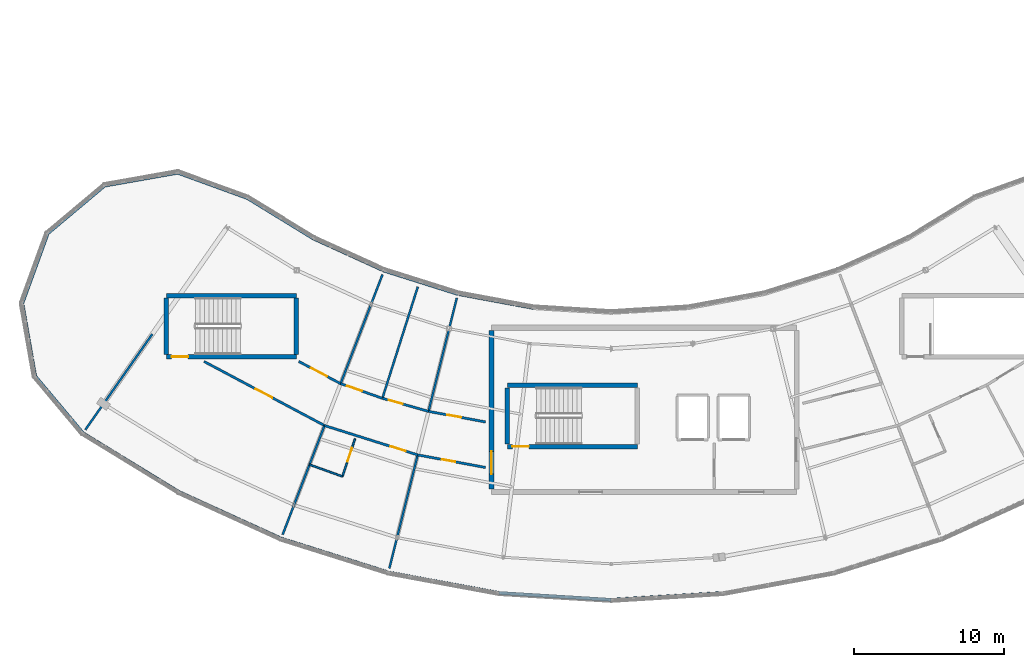
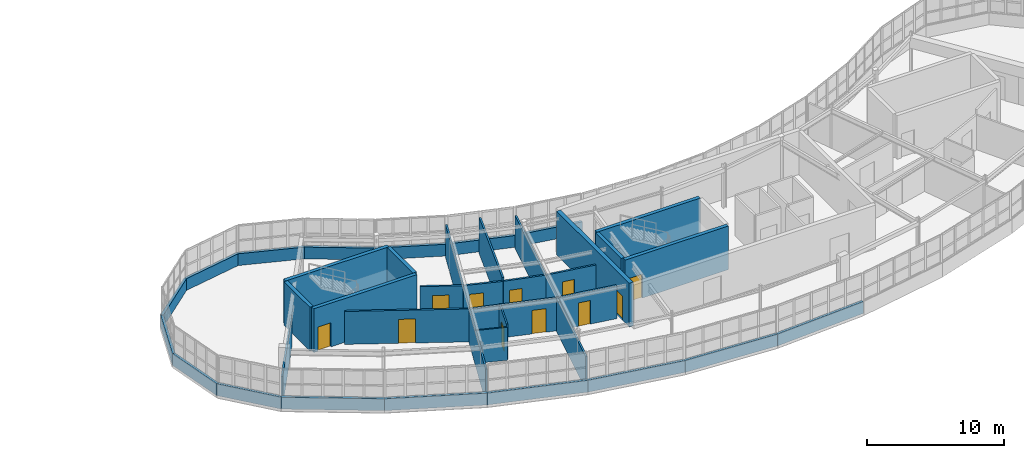
# One storey, part 65 of 79: 39 walls, 11 doors, 11 openings.
"""IFC4 building model written with IfcOpenShell, lengths in metres."""

from ifc_helpers import new_model, si_unit, direction, frame, frame_2d, origin, place, context, subcontext, project, spatial, rectangle, extrude, material, layer, layer_set, type_object, element, fill, save


model = new_model("IFC4")

# Units and contexts
model_context = context("Model", 3, precision=1e-05, world=origin(), true_north=direction((0.0, 1.0)))
body_context = subcontext(model_context, "Body", "Model", "MODEL_VIEW")
ifc_project = project(units=[si_unit("LENGTHUNIT", "METRE"), si_unit("AREAUNIT", "SQUARE_METRE"), si_unit("VOLUMEUNIT", "CUBIC_METRE"), si_unit("PLANEANGLEUNIT", "RADIAN"), si_unit("MASSUNIT", "GRAM", prefix="KILO")], contexts=[model_context])

# Site, building, storey
site_placement = place(None, origin())
site = spatial("IfcSite", under=ifc_project, at=site_placement, CompositionType="ELEMENT")
building_placement = place(site_placement, origin())
building = spatial("IfcBuilding", under=site, at=building_placement, Name="Tarnwether General Hospital", CompositionType="ELEMENT")
storey_placement = place(building_placement, frame((0.0, 0.0, 18.300048828125)))
storey = spatial("IfcBuildingStorey", under=building, at=storey_placement, Name="L04", CompositionType="ELEMENT", Elevation=18.300048828125)

# Walls
ifc_material_1 = material(Name="Streamlined white enamelled aluminium", Category="aluminium")
ifc_layer_1 = layer(ifc_material_1, 0.219970703125)
ifc_layer_set_1 = layer_set([ifc_layer_1], Name="Streamlined white enamelled aluminium")
wall_type_1 = type_object("IfcWallType", Name="WL-EX220", PredefinedType="STANDARD", material=ifc_layer_set_1)
wall_1_placement = place(storey_placement, frame((63.0810546875, 8.610107421875, 0.0), z_axis=(0.0, 0.0, 1.0), x_axis=(-0.852640903338, 0.522497358803, 0.0)))
element("IfcWall", 1, at=wall_1_placement, inside=storey, type_object=wall_type_1, Name="Ward SE Streamlined White Spandrel EW-L04-0187", PredefinedType="STANDARD", context=body_context, shape_type="SweptSolid", body=[
    extrude(rectangle(XDim=7.521484375, YDim=0.219970703125, at=frame_2d((3.7607421875, 0.0))), origin(), (0.0, 0.0, 1.0), 1.050048828125),
])
wall_2_placement = place(storey_placement, frame((69.925048828125, 5.490966796875, 0.0), z_axis=(0.0, 0.0, 1.0), x_axis=(-0.909953604353, 0.414710064895, 0.0)))
element("IfcWall", 2, at=wall_2_placement, inside=storey, type_object=wall_type_1, Name="Ward SE Streamlined White Spandrel EW-L04-0188", PredefinedType="STANDARD", context=body_context, shape_type="SweptSolid", body=[
    extrude(rectangle(XDim=7.521240234375, YDim=0.219970703125, at=frame_2d((3.7607421875, 0.0))), origin(), (0.0, 0.0, 1.0), 1.050048828125),
])
wall_3_placement = place(storey_placement, frame((77.097900390625, 3.22998046875, 0.0), z_axis=(0.0, 0.0, 1.0), x_axis=(-0.953740021466, 0.300632618747, 0.0)))
element("IfcWall", 3, at=wall_3_placement, inside=storey, type_object=wall_type_1, Name="Ward SE Streamlined White Spandrel EW-L04-0189", PredefinedType="STANDARD", context=body_context, shape_type="SweptSolid", body=[
    extrude(rectangle(XDim=7.520751953125, YDim=0.219970703125, at=frame_2d((3.76025390625, 0.0))), origin(), (0.0, 0.0, 1.0), 1.050048828125),
])
for number, where, z_axis, x_axis, name in (
    (4, (84.492919921875, 1.85888671875, 0.0), (0.0, 0.0, 1.0), (-0.983242805192, 0.18230081195, 0.0), "Ward SE Streamlined White Spandrel EW-L04-0190"),
    (5, (92.0, 1.39990234375, 0.0), (0.0, 0.0, 1.0), (-0.99813616181, 0.061026244242, 0.0), "Ward SE Streamlined White Spandrel EW-L04-0191"),
    (6, (99.507080078125, 1.85888671875, 0.0), (0.0, 0.0, 1.0), (-0.99813616181, -0.061026244242, 0.0), "Ward SE Streamlined White Spandrel EW-L04-0192"),
):
    element("IfcWall", number, at=place(storey_placement, frame(where, z_axis=z_axis, x_axis=x_axis)), inside=storey, type_object=wall_type_1, Name=name, PredefinedType="STANDARD", context=body_context, shape_type="SweptSolid", body=[
        extrude(rectangle(XDim=7.52099609375, YDim=0.219970703125, at=frame_2d((3.760498046875, 0.0))), origin(), (0.0, 0.0, 1.0), 1.050048828125),
    ])
wall_4_placement = place(storey_placement, frame((81.742919921875, 21.85888671875, 0.0), z_axis=(0.0, 0.0, 1.0), x_axis=(0.98327293422, -0.182138235501, 0.0)))
element("IfcWall", 7, at=wall_4_placement, inside=storey, type_object=wall_type_1, Name="Ward SE Streamlined White Spandrel EW-L04-0209", PredefinedType="STANDARD", context=body_context, shape_type="SweptSolid", body=[
    extrude(rectangle(XDim=5.1767578125, YDim=0.219970703125, at=frame_2d((2.58837890625, 0.0))), origin(), (0.0, 0.0, 1.0), 1.050048828125),
])
wall_5_placement = place(storey_placement, frame((76.804931640625, 23.416015625, 0.0), z_axis=(0.0, 0.0, 1.0), x_axis=(0.953706582316, -0.300738681994, 0.0)))
element("IfcWall", 8, at=wall_5_placement, inside=storey, type_object=wall_type_1, Name="Ward SE Streamlined White Spandrel EW-L04-0210", PredefinedType="STANDARD", context=body_context, shape_type="SweptSolid", body=[
    extrude(rectangle(XDim=5.177734375, YDim=0.219970703125, at=frame_2d((2.5888671875, 0.0))), origin(), (0.0, 0.0, 1.0), 1.050048828125),
])
for number, where, z_axis, x_axis, name in (
    (9, (72.093994140625, 25.56298828125, 0.0), (0.0, 0.0, 1.0), (0.909955822384, -0.414705198074, 0.0), "Ward SE Streamlined White Spandrel EW-L04-0211"),
    (10, (67.679931640625, 28.26806640625, 0.0), (0.0, 0.0, 1.0), (0.852628362135, -0.522517823698, 0.0), "Ward SE Streamlined White Spandrel EW-L04-0212"),
):
    element("IfcWall", number, at=place(storey_placement, frame(where, z_axis=z_axis, x_axis=x_axis)), inside=storey, type_object=wall_type_1, Name=name, PredefinedType="STANDARD", context=body_context, shape_type="SweptSolid", body=[
        extrude(rectangle(XDim=5.177001953125, YDim=0.219970703125, at=frame_2d((2.58837890625, 0.0))), origin(), (0.0, 0.0, 1.0), 1.050048828125),
    ])
wall_6_placement = place(storey_placement, frame((63.010986328125, 29.968017578125, 0.0), z_axis=(0.0, 0.0, 1.0), x_axis=(0.939654190044, -0.34212571247, 0.0)))
element("IfcWall", 11, at=wall_6_placement, inside=storey, type_object=wall_type_1, Name="Ward SE Streamlined White Spandrel EW-L04-0213", PredefinedType="STANDARD", context=body_context, shape_type="SweptSolid", body=[
    extrude(rectangle(XDim=4.96875, YDim=0.219970703125, at=frame_2d((2.484375, 0.0))), origin(), (0.0, 0.0, 1.0), 1.050048828125),
])
wall_7_placement = place(storey_placement, frame((58.116943359375, 29.10498046875, 0.0), z_axis=(0.0, 0.0, 1.0), x_axis=(0.984804817938, 0.173664822479, 0.0)))
element("IfcWall", 12, at=wall_7_placement, inside=storey, type_object=wall_type_1, Name="Ward SE Streamlined White Spandrel EW-L04-0214", PredefinedType="STANDARD", context=body_context, shape_type="SweptSolid", body=[
    extrude(rectangle(XDim=4.969482421875, YDim=0.219970703125, at=frame_2d((2.48486328125, 0.0))), origin(), (0.0, 0.0, 1.0), 1.050048828125),
])
wall_8_placement = place(storey_placement, frame((54.31005859375, 25.909912109375, 0.0), z_axis=(0.0, 0.0, 1.0), x_axis=(0.765973821879, 0.642871763415, 0.0)))
element("IfcWall", 13, at=wall_8_placement, inside=storey, type_object=wall_type_1, Name="Ward SE Streamlined White Spandrel EW-L04-0215", PredefinedType="STANDARD", context=body_context, shape_type="SweptSolid", body=[
    extrude(rectangle(XDim=4.969970703125, YDim=0.219970703125, at=frame_2d((2.48486328125, 0.0))), origin(), (0.0, 0.0, 1.0), 1.050048828125),
])
wall_9_placement = place(storey_placement, frame((52.611083984375, 21.240966796875, 0.0), z_axis=(0.0, 0.0, 1.0), x_axis=(0.341952160632, 0.939717361678, 0.0)))
element("IfcWall", 14, at=wall_9_placement, inside=storey, type_object=wall_type_1, Name="Ward SE Streamlined White Spandrel EW-L04-0216", PredefinedType="STANDARD", context=body_context, shape_type="SweptSolid", body=[
    extrude(rectangle(XDim=4.968505859375, YDim=0.219970703125, at=frame_2d((2.484375, 0.0))), origin(), (0.0, 0.0, 1.0), 1.050048828125),
])
wall_10_placement = place(storey_placement, frame((53.472900390625, 16.346923828125, 0.0), z_axis=(0.0, 0.0, 1.0), x_axis=(-0.173426579259, 0.984846801085, 0.0)))
element("IfcWall", 15, at=wall_10_placement, inside=storey, type_object=wall_type_1, Name="Ward SE Streamlined White Spandrel EW-L04-0217", PredefinedType="STANDARD", context=body_context, shape_type="SweptSolid", body=[
    extrude(rectangle(XDim=4.96923828125, YDim=0.219970703125, at=frame_2d((2.484619140625, 0.0))), origin(), (0.0, 0.0, 1.0), 1.050048828125),
])
wall_11_placement = place(storey_placement, frame((56.66796875, 12.5400390625, 0.0), z_axis=(0.0, 0.0, 1.0), x_axis=(-0.642871763415, 0.765973821879, 0.0)))
element("IfcWall", 16, at=wall_11_placement, inside=storey, type_object=wall_type_1, Name="Ward SE Streamlined White Spandrel EW-L04-0218", PredefinedType="STANDARD", context=body_context, shape_type="SweptSolid", body=[
    extrude(rectangle(XDim=4.969970703125, YDim=0.219970703125, at=frame_2d((2.48486328125, 0.0))), origin(), (0.0, 0.0, 1.0), 1.050048828125),
])

# Wall, opening, door
ifc_material_2 = material(Name="Gypsum plasterboard")
ifc_layer_2 = layer(ifc_material_2, 0.1201171875)
ifc_layer_set_2 = layer_set([ifc_layer_2], Name="Gypsum plasterboard")
wall_type_2 = type_object("IfcWallType", Name="WL-PT120", PredefinedType="PARTITIONING", material=ifc_layer_set_2)
wall_12_placement = place(storey_placement, frame((74.873046875, 12.16796875, 0.0), z_axis=(0.0, 0.0, 1.0), x_axis=(-0.319199781595, -0.947687448176, 0.0)))
wall_12 = element("IfcWall", 17, at=wall_12_placement, inside=storey, type_object=wall_type_2, Name="Interior Partition PT-L04-0403", PredefinedType="PARTITIONING", context=body_context, shape_type="SweptSolid", body=[
    extrude(rectangle(XDim=2.66015625, YDim=0.1201171875, at=frame_2d((1.330078125, 0.0))), origin(), (0.0, 0.0, 1.0), 3.18896484375),
])
opening_1_placement = place(wall_12_placement, frame((0.64990234375, 0.0, 0.0)))
opening_1 = element("IfcOpeningElement", 18, at=opening_1_placement, cuts=wall_12, Name="Opening D-10", PredefinedType="OPENING", context=body_context, shape_type="SweptSolid", body=[
    extrude(rectangle(XDim=0.9599609375, YDim=2.06005859375, at=frame_2d((0.47998046875, 1.030029296875))), frame((0.0, 0.070068359375, 0.0), z_axis=(0.0, -1.0, 0.0), x_axis=(1.0, 0.0, 0.0)), (0.0, 0.0, 1.0), 0.14013671875),
])
ifc_material_3 = material(Name="Anodised aluminium", Category="aluminium")
door_type_1 = type_object("IfcDoorType", Name="DR-IN10", OperationType="NOTDEFINED", PredefinedType="DOOR", material=ifc_material_3)
door_1_placement = place(opening_1_placement, origin())
door_1 = element("IfcDoor", 19, at=door_1_placement, inside=storey, type_object=door_type_1, Name="Interior Door DR-L04-0224", OperationType="SINGLE_SWING_RIGHT", OverallHeight=2.06005859375, OverallWidth=0.9599609375, PredefinedType="DOOR", context=body_context, shape_type="SweptSolid", body=[
    extrude(rectangle(XDim=0.9599609375, YDim=2.06005859375, at=frame_2d((0.47998046875, 1.030029296875))), frame((0.0, 0.02490234375, 0.0), z_axis=(0.0, -1.0, 0.0), x_axis=(1.0, 0.0, 0.0)), (0.0, 0.0, 1.0), 0.050048828125),
])
fill(opening_1, door_1)

# Walls
wall_13_placement = place(storey_placement, frame((71.823974609375, 10.43896484375, 0.0), z_axis=(0.0, 0.0, 1.0), x_axis=(0.940886080788, -0.338723165695, 0.0)))
element("IfcWall", 20, at=wall_13_placement, inside=storey, type_object=wall_type_2, Name="Interior Partition PT-L04-0404", PredefinedType="PARTITIONING", context=body_context, shape_type="SweptSolid", body=[
    extrude(rectangle(XDim=2.338134765625, YDim=0.1201171875, at=frame_2d((1.1689453125, 0.0))), origin(), (0.0, 0.0, 1.0), 2.932861328125),
])
ifc_material_4 = material(Name="Gypsum plasterboard")
ifc_layer_3 = layer(ifc_material_4, 0.139892578125)
ifc_layer_set_3 = layer_set([ifc_layer_3], Name="Gypsum plasterboard")
wall_type_3 = type_object("IfcWallType", Name="WL-PT140", PredefinedType="PARTITIONING", material=ifc_layer_set_3)
wall_14_placement = place(storey_placement, frame((72.826904296875, 13.052978515625, 0.0), z_axis=(0.0, 0.0, 1.0), x_axis=(-0.358342954102, -0.933590020965, 0.0)))
element("IfcWall", 21, at=wall_14_placement, inside=storey, type_object=wall_type_3, Name="Interior Partition PT-L04-0400", PredefinedType="PARTITIONING", context=body_context, shape_type="SweptSolid", body=[
    extrude(rectangle(XDim=7.8193359375, YDim=0.139892578125, at=frame_2d((3.90966796875, 0.0))), origin(), (0.0, 0.0, 1.0), 2.932861328125),
])
wall_15_placement = place(storey_placement, frame((73.902099609375, 15.85400390625, 0.0), z_axis=(0.0, 0.0, 1.0), x_axis=(0.358410014332, 0.933564278251, 0.0)))
element("IfcWall", 22, at=wall_15_placement, inside=storey, type_object=wall_type_3, Name="Interior Partition PT-L04-0402", PredefinedType="PARTITIONING", context=body_context, shape_type="SweptSolid", body=[
    extrude(rectangle(XDim=7.820556640625, YDim=0.139892578125, at=frame_2d((3.91015625, 0.0))), origin(), (0.0, 0.0, 1.0), 2.932861328125),
])
wall_16_placement = place(storey_placement, frame((79.056884765625, 11.089111328125, 0.0), z_axis=(0.0, 0.0, 1.0), x_axis=(-0.241911207257, -0.970298391117, 0.0)))
element("IfcWall", 23, at=wall_16_placement, inside=storey, type_object=wall_type_3, Name="Interior Partition PT-L04-0406", PredefinedType="PARTITIONING", context=body_context, shape_type="SweptSolid", body=[
    extrude(rectangle(XDim=7.8203125, YDim=0.139892578125, at=frame_2d((3.91015625, 0.0))), origin(), (0.0, 0.0, 1.0), 2.93798828125),
])
wall_17_placement = place(storey_placement, frame((76.697021484375, 14.875, 0.0), z_axis=(0.0, 0.0, 1.0), x_axis=(0.302952343331, 0.95300570705, 0.0)))
element("IfcWall", 24, at=wall_17_placement, inside=storey, type_object=wall_type_3, Name="Interior Partition PT-L04-0407", PredefinedType="PARTITIONING", context=body_context, shape_type="SweptSolid", body=[
    extrude(rectangle(XDim=7.8193359375, YDim=0.139892578125, at=frame_2d((3.90966796875, 0.0))), origin(), (0.0, 0.0, 1.0), 3.240966796875),
])
wall_18_placement = place(storey_placement, frame((79.782958984375, 14.0, 0.0), z_axis=(0.0, 0.0, 1.0), x_axis=(0.241947927131, 0.970289235515, 0.0)))
element("IfcWall", 25, at=wall_18_placement, inside=storey, type_object=wall_type_3, Name="Interior Partition PT-L04-0410", PredefinedType="PARTITIONING", context=body_context, shape_type="SweptSolid", body=[
    extrude(rectangle(XDim=7.8203125, YDim=0.139892578125, at=frame_2d((3.91015625, 0.0))), origin(), (0.0, 0.0, 1.0), 2.93798828125),
])
wall_19_placement = place(storey_placement, frame((61.31396484375, 19.175048828125, 0.0), z_axis=(0.0, 0.0, 1.0), x_axis=(-0.573682336084, -0.819077882295, 0.0)))
element("IfcWall", 26, at=wall_19_placement, inside=storey, type_object=wall_type_3, Name="Interior Partition PT-L04-0423", PredefinedType="PARTITIONING", context=body_context, shape_type="SweptSolid", body=[
    extrude(rectangle(XDim=7.81982421875, YDim=0.139892578125, at=frame_2d((3.909912109375, 0.0))), origin(), (0.0, 0.0, 1.0), 2.64501953125),
])

# Wall, opening, door
ifc_material_5 = material(Name="Gypsum plasterboard")
ifc_layer_4 = layer(ifc_material_5, 0.159912109375)
ifc_layer_set_4 = layer_set([ifc_layer_4], Name="Gypsum plasterboard")
wall_type_4 = type_object("IfcWallType", Name="WL-PT160", PredefinedType="PARTITIONING", material=ifc_layer_set_4)
wall_20_placement = place(storey_placement, frame((64.764892578125, 17.340087890625, 0.0), z_axis=(0.0, 0.0, 1.0), x_axis=(0.882926631997, -0.469510982311, 0.0)))
wall_20 = element("IfcWall", 27, at=wall_20_placement, inside=storey, type_object=wall_type_4, Name="Interior Partition PT-L04-0399", PredefinedType="PARTITIONING", context=body_context, shape_type="SweptSolid", body=[
    extrude(rectangle(XDim=9.131103515625, YDim=0.159912109375, at=frame_2d((4.5654296875, 0.0))), origin(), (0.0, 0.0, 1.0), 2.932861328125),
])
opening_2_placement = place(wall_20_placement, frame((3.916015625, 0.0, 0.0)))
opening_2 = element("IfcOpeningElement", 28, at=opening_2_placement, cuts=wall_20, Name="Opening D-04", PredefinedType="OPENING", context=body_context, shape_type="SweptSolid", body=[
    extrude(rectangle(XDim=1.260009765625, YDim=2.139892578125, at=frame_2d((0.6298828125, 1.06982421875))), frame((0.0, 0.08984375, 0.0), z_axis=(0.0, -1.0, 0.0), x_axis=(1.0, 0.0, 0.0)), (0.0, 0.0, 1.0), 0.179931640625),
])
ifc_material_6 = material(Name="Anodised aluminium", Category="aluminium")
door_type_2 = type_object("IfcDoorType", Name="DR-IN04", OperationType="NOTDEFINED", PredefinedType="DOOR", material=ifc_material_6)
door_2_placement = place(opening_2_placement, origin())
door_2 = element("IfcDoor", 29, at=door_2_placement, inside=storey, type_object=door_type_2, Name="Interior Door DR-L04-0222", OperationType="SINGLE_SWING_RIGHT", OverallHeight=2.139892578125, OverallWidth=1.260009765625, PredefinedType="DOOR", context=body_context, shape_type="SweptSolid", body=[
    extrude(rectangle(XDim=1.260009765625, YDim=2.139892578125, at=frame_2d((0.6298828125, 1.06982421875))), frame((0.0, 0.02490234375, 0.0), z_axis=(0.0, -1.0, 0.0), x_axis=(1.0, 0.0, 0.0)), (0.0, 0.0, 1.0), 0.050048828125),
])
fill(opening_2, door_2)

wall_21_placement = place(storey_placement, frame((71.10693359375, 17.340087890625, 0.0), z_axis=(0.0, 0.0, 1.0), x_axis=(0.882964896182, -0.469439018522, 0.0)))
wall_21 = element("IfcWall", 30, at=wall_21_placement, inside=storey, type_object=wall_type_4, Name="Interior Partition PT-L04-0401", PredefinedType="PARTITIONING", context=body_context, shape_type="SweptSolid", body=[
    extrude(rectangle(XDim=3.165771484375, YDim=0.159912109375, at=frame_2d((1.5830078125, 0.0))), origin(), (0.0, 0.0, 1.0), 2.932861328125),
])
opening_3_placement = place(wall_21_placement, frame((0.93310546875, 0.0, 0.0)))
opening_3 = element("IfcOpeningElement", 31, at=opening_3_placement, cuts=wall_21, Name="Opening D-05", PredefinedType="OPENING", context=body_context, shape_type="SweptSolid", body=[
    extrude(rectangle(XDim=1.199951171875, YDim=2.1201171875, at=frame_2d((0.60009765625, 1.06005859375))), frame((0.0, 0.08984375, 0.0), z_axis=(0.0, -1.0, 0.0), x_axis=(1.0, 0.0, 0.0)), (0.0, 0.0, 1.0), 0.179931640625),
])
ifc_material_7 = material(Name="Anodised aluminium", Category="aluminium")
door_type_3 = type_object("IfcDoorType", Name="DR-IN05", OperationType="NOTDEFINED", PredefinedType="DOOR", material=ifc_material_7)
door_3_placement = place(opening_3_placement, origin())
door_3 = element("IfcDoor", 32, at=door_3_placement, inside=storey, type_object=door_type_3, Name="Interior Door DR-L04-0223", OperationType="SINGLE_SWING_LEFT", OverallHeight=2.1201171875, OverallWidth=1.199951171875, PredefinedType="DOOR", context=body_context, shape_type="SweptSolid", body=[
    extrude(rectangle(XDim=1.199951171875, YDim=2.1201171875, at=frame_2d((0.60009765625, 1.06005859375))), frame((0.0, 0.02490234375, 0.0), z_axis=(0.0, -1.0, 0.0), x_axis=(1.0, 0.0, 0.0)), (0.0, 0.0, 1.0), 0.050048828125),
])
fill(opening_3, door_3)

wall_22_placement = place(storey_placement, frame((72.826904296875, 13.052978515625, 0.0), z_axis=(0.0, 0.0, 1.0), x_axis=(0.953736183483, -0.30064479426, 0.0)))
wall_22 = element("IfcWall", 33, at=wall_22_placement, inside=storey, type_object=wall_type_4, Name="Interior Partition PT-L04-0405", PredefinedType="PARTITIONING", context=body_context, shape_type="SweptSolid", body=[
    extrude(rectangle(XDim=6.5322265625, YDim=0.159912109375, at=frame_2d((3.26611328125, 0.0))), origin(), (0.0, 0.0, 1.0), 2.932861328125),
])
opening_4_placement = place(wall_22_placement, frame((4.632080078125, 0.0, 0.0)))
opening_4 = element("IfcOpeningElement", 34, at=opening_4_placement, cuts=wall_22, Name="Opening D-08", PredefinedType="OPENING", context=body_context, shape_type="SweptSolid", body=[
    extrude(rectangle(XDim=1.06005859375, YDim=2.10009765625, at=frame_2d((0.530029296875, 1.050048828125))), frame((0.0, 0.08984375, 0.0), z_axis=(0.0, -1.0, 0.0), x_axis=(1.0, 0.0, 0.0)), (0.0, 0.0, 1.0), 0.179931640625),
])
ifc_material_8 = material(Name="Anodised aluminium", Category="aluminium")
door_type_4 = type_object("IfcDoorType", Name="DR-IN08", OperationType="NOTDEFINED", PredefinedType="DOOR", material=ifc_material_8)
door_4_placement = place(opening_4_placement, origin())
door_4 = element("IfcDoor", 35, at=door_4_placement, inside=storey, type_object=door_type_4, Name="Interior Door DR-L04-0225", OperationType="SINGLE_SWING_LEFT", OverallHeight=2.10009765625, OverallWidth=1.06005859375, PredefinedType="DOOR", context=body_context, shape_type="SweptSolid", body=[
    extrude(rectangle(XDim=1.06005859375, YDim=2.10009765625, at=frame_2d((0.530029296875, 1.050048828125))), frame((0.0, 0.02490234375, 0.0), z_axis=(0.0, -1.0, 0.0), x_axis=(1.0, 0.0, 0.0)), (0.0, 0.0, 1.0), 0.050048828125),
])
fill(opening_4, door_4)

wall_23_placement = place(storey_placement, frame((73.902099609375, 15.85400390625, 0.0), z_axis=(0.0, 0.0, 1.0), x_axis=(0.943776070457, -0.330585433485, 0.0)))
wall_23 = element("IfcWall", 36, at=wall_23_placement, inside=storey, type_object=wall_type_4, Name="Interior Partition PT-L04-0408", PredefinedType="PARTITIONING", context=body_context, shape_type="SweptSolid", body=[
    extrude(rectangle(XDim=2.96142578125, YDim=0.159912109375, at=frame_2d((1.480712890625, 0.0))), origin(), (0.0, 0.0, 1.0), 2.932861328125),
])
opening_5_placement = place(wall_23_placement, frame((0.449951171875, 0.0, 0.0)))
opening_5 = element("IfcOpeningElement", 37, at=opening_5_placement, cuts=wall_23, Name="Opening D-08", PredefinedType="OPENING", context=body_context, shape_type="SweptSolid", body=[
    extrude(rectangle(XDim=1.06005859375, YDim=2.10009765625, at=frame_2d((0.530029296875, 1.050048828125))), frame((0.0, 0.08984375, 0.0), z_axis=(0.0, -1.0, 0.0), x_axis=(1.0, 0.0, 0.0)), (0.0, 0.0, 1.0), 0.179931640625),
])
door_5_placement = place(opening_5_placement, origin())
door_5 = element("IfcDoor", 38, at=door_5_placement, inside=storey, type_object=door_type_4, Name="Interior Door DR-L04-0226", OperationType="SINGLE_SWING_RIGHT", OverallHeight=2.10009765625, OverallWidth=1.06005859375, PredefinedType="DOOR", context=body_context, shape_type="SweptSolid", body=[
    extrude(rectangle(XDim=1.06005859375, YDim=2.10009765625, at=frame_2d((0.530029296875, 1.050048828125))), frame((0.0, 0.02490234375, 0.0), z_axis=(0.0, -1.0, 0.0), x_axis=(1.0, 0.0, 0.0)), (0.0, 0.0, 1.0), 0.050048828125),
])
fill(opening_5, door_5)

wall_24_placement = place(storey_placement, frame((76.697021484375, 14.875, 0.0), z_axis=(0.0, 0.0, 1.0), x_axis=(0.962073473599, -0.272790453274, 0.0)))
wall_24 = element("IfcWall", 39, at=wall_24_placement, inside=storey, type_object=wall_type_4, Name="Interior Partition PT-L04-0409", PredefinedType="PARTITIONING", context=body_context, shape_type="SweptSolid", body=[
    extrude(rectangle(XDim=3.20751953125, YDim=0.159912109375, at=frame_2d((1.603759765625, 0.0))), origin(), (0.0, 0.0, 1.0), 2.93798828125),
])
opening_6_placement = place(wall_24_placement, frame((0.449951171875, 0.0, 0.0)))
opening_6 = element("IfcOpeningElement", 40, at=opening_6_placement, cuts=wall_24, Name="Opening D-10", PredefinedType="OPENING", context=body_context, shape_type="SweptSolid", body=[
    extrude(rectangle(XDim=0.9599609375, YDim=2.06005859375, at=frame_2d((0.47998046875, 1.030029296875))), frame((0.0, 0.08984375, 0.0), z_axis=(0.0, -1.0, 0.0), x_axis=(1.0, 0.0, 0.0)), (0.0, 0.0, 1.0), 0.179931640625),
])
door_6_placement = place(opening_6_placement, origin())
door_6 = element("IfcDoor", 41, at=door_6_placement, inside=storey, type_object=door_type_1, Name="Interior Door DR-L04-0227", OperationType="SINGLE_SWING_LEFT", OverallHeight=2.06005859375, OverallWidth=0.9599609375, PredefinedType="DOOR", context=body_context, shape_type="SweptSolid", body=[
    extrude(rectangle(XDim=0.9599609375, YDim=2.06005859375, at=frame_2d((0.47998046875, 1.030029296875))), frame((0.0, 0.02490234375, 0.0), z_axis=(0.0, -1.0, 0.0), x_axis=(1.0, 0.0, 0.0)), (0.0, 0.0, 1.0), 0.050048828125),
])
fill(opening_6, door_6)

wall_25_placement = place(storey_placement, frame((79.056884765625, 11.089111328125, 0.0), z_axis=(0.0, 0.0, 1.0), x_axis=(0.983258469263, -0.182216307235, 0.0)))
wall_25 = element("IfcWall", 42, at=wall_25_placement, inside=storey, type_object=wall_type_4, Name="Interior Partition PT-L04-0411", PredefinedType="PARTITIONING", context=body_context, shape_type="SweptSolid", body=[
    extrude(rectangle(XDim=4.6103515625, YDim=0.159912109375, at=frame_2d((2.30517578125, 0.0))), origin(), (0.0, 0.0, 1.0), 2.93798828125),
])
opening_7_placement = place(wall_25_placement, frame((1.655029296875, 0.0, 0.0)))
opening_7 = element("IfcOpeningElement", 43, at=opening_7_placement, cuts=wall_25, Name="Opening D-11", PredefinedType="OPENING", context=body_context, shape_type="SweptSolid", body=[
    extrude(rectangle(XDim=0.89990234375, YDim=2.10009765625, at=frame_2d((0.449951171875, 1.050048828125))), frame((0.0, 0.08984375, 0.0), z_axis=(0.0, -1.0, 0.0), x_axis=(1.0, 0.0, 0.0)), (0.0, 0.0, 1.0), 0.179931640625),
])
ifc_material_9 = material(Name="Anodised aluminium", Category="aluminium")
door_type_5 = type_object("IfcDoorType", Name="DR-IN11", OperationType="NOTDEFINED", PredefinedType="DOOR", material=ifc_material_9)
door_7_placement = place(opening_7_placement, origin())
door_7 = element("IfcDoor", 44, at=door_7_placement, inside=storey, type_object=door_type_5, Name="Interior Door DR-L04-0228", OperationType="SINGLE_SWING_RIGHT", OverallHeight=2.10009765625, OverallWidth=0.89990234375, PredefinedType="DOOR", context=body_context, shape_type="SweptSolid", body=[
    extrude(rectangle(XDim=0.89990234375, YDim=2.10009765625, at=frame_2d((0.449951171875, 1.050048828125))), frame((0.0, 0.02490234375, 0.0), z_axis=(0.0, -1.0, 0.0), x_axis=(1.0, 0.0, 0.0)), (0.0, 0.0, 1.0), 0.050048828125),
])
fill(opening_7, door_7)

wall_26_placement = place(storey_placement, frame((79.782958984375, 14.0, 0.0), z_axis=(0.0, 0.0, 1.0), x_axis=(0.983234305922, -0.182346646962, 0.0)))
wall_26 = element("IfcWall", 45, at=wall_26_placement, inside=storey, type_object=wall_type_4, Name="Interior Partition PT-L04-0412", PredefinedType="PARTITIONING", context=body_context, shape_type="SweptSolid", body=[
    extrude(rectangle(XDim=3.8720703125, YDim=0.159912109375, at=frame_2d((1.93603515625, 0.0))), origin(), (0.0, 0.0, 1.0), 2.93798828125),
])
opening_8_placement = place(wall_26_placement, frame((1.285888671875, 0.0, 0.0)))
opening_8 = element("IfcOpeningElement", 46, at=opening_8_placement, cuts=wall_26, Name="Opening D-12", PredefinedType="OPENING", context=body_context, shape_type="SweptSolid", body=[
    extrude(rectangle(XDim=0.919921875, YDim=2.0400390625, at=frame_2d((0.4599609375, 1.02001953125))), frame((0.0, 0.08984375, 0.0), z_axis=(0.0, -1.0, 0.0), x_axis=(1.0, 0.0, 0.0)), (0.0, 0.0, 1.0), 0.179931640625),
])
ifc_material_10 = material(Name="Anodised aluminium", Category="aluminium")
door_type_6 = type_object("IfcDoorType", Name="DR-IN12", OperationType="NOTDEFINED", PredefinedType="DOOR", material=ifc_material_10)
door_8_placement = place(opening_8_placement, origin())
door_8 = element("IfcDoor", 47, at=door_8_placement, inside=storey, type_object=door_type_6, Name="Interior Door DR-L04-0229", OperationType="SINGLE_SWING_LEFT", OverallHeight=2.0400390625, OverallWidth=0.919921875, PredefinedType="DOOR", context=body_context, shape_type="SweptSolid", body=[
    extrude(rectangle(XDim=0.919921875, YDim=2.0400390625, at=frame_2d((0.4599609375, 1.02001953125))), frame((0.0, 0.02490234375, 0.0), z_axis=(0.0, -1.0, 0.0), x_axis=(1.0, 0.0, 0.0)), (0.0, 0.0, 1.0), 0.050048828125),
])
fill(opening_8, door_8)

ifc_material_11 = material(Name="Concrete 50 MPa", Category="concrete")
ifc_layer_5 = layer(ifc_material_11, 0.300048828125)
ifc_layer_set_5 = layer_set([ifc_layer_5], Name="Concrete 50 MPa")
wall_type_5 = type_object("IfcWallType", Name="WL-SW300", PredefinedType="SHEAR", material=ifc_layer_set_5)
wall_27_placement = place(storey_placement, frame((85.050048828125, 11.64990234375, 0.0), z_axis=(0.0, 0.0, 1.0), x_axis=(1.0, 0.0, 0.0)))
wall_27 = element("IfcWall", 48, at=wall_27_placement, inside=storey, type_object=wall_type_5, Name="Stairwell Shear Wall STW-ST-02-L04-B", PredefinedType="SHEAR", context=body_context, shape_type="SweptSolid", body=[
    extrude(rectangle(XDim=8.699951171875, YDim=0.300048828125, at=frame_2d((4.35009765625, 0.0))), origin(), (0.0, 0.0, 1.0), 3.89990234375),
])
opening_9_placement = place(wall_27_placement, frame((0.35009765625, 0.0, 0.0)))
opening_9 = element("IfcOpeningElement", 49, at=opening_9_placement, cuts=wall_27, Name="Opening FD-06", PredefinedType="OPENING", context=body_context, shape_type="SweptSolid", body=[
    extrude(rectangle(XDim=1.10009765625, YDim=2.14990234375, at=frame_2d((0.550048828125, 1.074951171875))), frame((0.0, 0.16015625, 0.0), z_axis=(0.0, -1.0, 0.0), x_axis=(1.0, 0.0, 0.0)), (0.0, 0.0, 1.0), 0.320068359375),
])
ifc_material_12 = material(Name="Anodised aluminium", Category="aluminium")
door_type_7 = type_object("IfcDoorType", Name="DR-FD06", OperationType="NOTDEFINED", PredefinedType="DOOR", material=ifc_material_12)
door_9_placement = place(opening_9_placement, origin())
door_9 = element("IfcDoor", 50, at=door_9_placement, inside=storey, type_object=door_type_7, Name="Stairwell ST-02 Safe-Path Fire Door L04", OperationType="SINGLE_SWING_RIGHT", OverallHeight=2.14990234375, OverallWidth=1.10009765625, PredefinedType="DOOR", context=body_context, shape_type="SweptSolid", body=[
    extrude(rectangle(XDim=1.10009765625, YDim=2.14990234375, at=frame_2d((0.550048828125, 1.074951171875))), frame((0.0, 0.02490234375, 0.0), z_axis=(0.0, -1.0, 0.0), x_axis=(1.0, 0.0, 0.0)), (0.0, 0.0, 1.0), 0.050048828125),
])
fill(opening_9, door_9)

# Walls
wall_28_placement = place(storey_placement, frame((93.75, 15.75, 0.0), z_axis=(0.0, 0.0, 1.0), x_axis=(-1.0, 0.0, 0.0)))
element("IfcWall", 51, at=wall_28_placement, inside=storey, type_object=wall_type_5, Name="Stairwell Shear Wall STW-ST-02-L04-N", PredefinedType="SHEAR", context=body_context, shape_type="SweptSolid", body=[
    extrude(rectangle(XDim=8.699951171875, YDim=0.300048828125, at=frame_2d((4.35009765625, 0.0))), origin(), (0.0, 0.0, 1.0), 3.89990234375),
])
wall_29_placement = place(storey_placement, frame((85.050048828125, 11.820068359375, 0.0), z_axis=(0.0, 0.0, 1.0), x_axis=(0.0, 1.0, 0.0)))
element("IfcWall", 52, at=wall_29_placement, inside=storey, type_object=wall_type_5, Name="Stairwell Shear Wall STW-ST-02-L04-L", PredefinedType="SHEAR", context=body_context, shape_type="SweptSolid", body=[
    extrude(rectangle(XDim=3.760009765625, YDim=0.300048828125, at=frame_2d((1.8798828125, 0.0))), origin(), (0.0, 0.0, 1.0), 3.89990234375),
])

# Wall, opening, door
wall_30_placement = place(storey_placement, frame((62.25, 17.64990234375, 0.0), z_axis=(0.0, 0.0, 1.0), x_axis=(1.0, 0.0, 0.0)))
wall_30 = element("IfcWall", 53, at=wall_30_placement, inside=storey, type_object=wall_type_5, Name="Stairwell Shear Wall STW-ST-09-L04-B", PredefinedType="SHEAR", context=body_context, shape_type="SweptSolid", body=[
    extrude(rectangle(XDim=8.699951171875, YDim=0.300048828125, at=frame_2d((4.35009765625, 0.0))), origin(), (0.0, 0.0, 1.0), 3.89990234375),
])
opening_10_placement = place(wall_30_placement, frame((0.35009765625, 0.0, 0.0)))
opening_10 = element("IfcOpeningElement", 54, at=opening_10_placement, cuts=wall_30, Name="Opening FD-06", PredefinedType="OPENING", context=body_context, shape_type="SweptSolid", body=[
    extrude(rectangle(XDim=1.10009765625, YDim=2.14990234375, at=frame_2d((0.550048828125, 1.074951171875))), frame((0.0, 0.16015625, 0.0), z_axis=(0.0, -1.0, 0.0), x_axis=(1.0, 0.0, 0.0)), (0.0, 0.0, 1.0), 0.320068359375),
])
door_10_placement = place(opening_10_placement, origin())
door_10 = element("IfcDoor", 55, at=door_10_placement, inside=storey, type_object=door_type_7, Name="Stairwell ST-09 Safe-Path Fire Door L04", OperationType="SINGLE_SWING_LEFT", OverallHeight=2.14990234375, OverallWidth=1.10009765625, PredefinedType="DOOR", context=body_context, shape_type="SweptSolid", body=[
    extrude(rectangle(XDim=1.10009765625, YDim=2.14990234375, at=frame_2d((0.550048828125, 1.074951171875))), frame((0.0, 0.02490234375, 0.0), z_axis=(0.0, -1.0, 0.0), x_axis=(1.0, 0.0, 0.0)), (0.0, 0.0, 1.0), 0.050048828125),
])
fill(opening_10, door_10)

# Walls
wall_31_placement = place(storey_placement, frame((70.949951171875, 21.75, 0.0), z_axis=(0.0, 0.0, 1.0), x_axis=(-1.0, 0.0, 0.0)))
element("IfcWall", 56, at=wall_31_placement, inside=storey, type_object=wall_type_5, Name="Stairwell Shear Wall STW-ST-09-L04-N", PredefinedType="SHEAR", context=body_context, shape_type="SweptSolid", body=[
    extrude(rectangle(XDim=8.699951171875, YDim=0.300048828125, at=frame_2d((4.35009765625, 0.0))), origin(), (0.0, 0.0, 1.0), 3.89990234375),
])
for number, where, z_axis, x_axis, name in (
    (57, (62.25, 17.820068359375, 0.0), (0.0, 0.0, 1.0), (0.0, 1.0, 0.0), "Stairwell Shear Wall STW-ST-09-L04-L"),
    (58, (70.949951171875, 17.820068359375, 0.0), (0.0, 0.0, 1.0), (0.0, 1.0, 0.0), "Stairwell Shear Wall STW-ST-09-L04-F"),
):
    element("IfcWall", number, at=place(storey_placement, frame(where, z_axis=z_axis, x_axis=x_axis)), inside=storey, type_object=wall_type_5, Name=name, PredefinedType="SHEAR", context=body_context, shape_type="SweptSolid", body=[
        extrude(rectangle(XDim=3.760009765625, YDim=0.300048828125, at=frame_2d((1.8798828125, 0.0))), origin(), (0.0, 0.0, 1.0), 3.89990234375),
    ])

# Wall, opening, door
ifc_material_13 = material(Name="Concrete 50 MPa", Category="concrete")
ifc_layer_6 = layer(ifc_material_13, 0.35009765625)
ifc_layer_set_6 = layer_set([ifc_layer_6], Name="Concrete 50 MPa")
wall_type_6 = type_object("IfcWallType", Name="WL-SW350", PredefinedType="SHEAR", material=ifc_layer_set_6)
wall_32_placement = place(storey_placement, frame((84.0, 8.800048828125, 0.0), z_axis=(0.0, 0.0, 1.0), x_axis=(0.0, 1.0, 0.0)))
wall_32 = element("IfcWall", 59, at=wall_32_placement, inside=storey, type_object=wall_type_6, Name="Core Shear Wall CWALL-K2-L04-W", PredefinedType="SHEAR", context=body_context, shape_type="SweptSolid", body=[
    extrude(rectangle(XDim=10.599853515625, YDim=0.35009765625, at=frame_2d((5.2998046875, 0.0))), origin(), (0.0, 0.0, 1.0), 3.89990234375),
])
opening_11_placement = place(wall_32_placement, frame((1.0, 0.0, 0.0)))
opening_11 = element("IfcOpeningElement", 60, at=opening_11_placement, cuts=wall_32, Name="Opening FD-02", PredefinedType="OPENING", context=body_context, shape_type="SweptSolid", body=[
    extrude(rectangle(XDim=1.52001953125, YDim=2.159912109375, at=frame_2d((0.760009765625, 1.080078125))), frame((0.0, 0.18505859375, 0.0), z_axis=(0.0, -1.0, 0.0), x_axis=(1.0, 0.0, 0.0)), (0.0, 0.0, 1.0), 0.3701171875),
])
ifc_material_14 = material(Name="Anodised aluminium", Category="aluminium")
door_type_8 = type_object("IfcDoorType", Name="DR-FD02", OperationType="NOTDEFINED", PredefinedType="DOOR", material=ifc_material_14)
door_11_placement = place(opening_11_placement, origin())
door_11 = element("IfcDoor", 61, at=door_11_placement, inside=storey, type_object=door_type_8, Name="Core K2 Ward Corridor Fire Door L04", OperationType="SINGLE_SWING_LEFT", OverallHeight=2.159912109375, OverallWidth=1.52001953125, PredefinedType="DOOR", context=body_context, shape_type="SweptSolid", body=[
    extrude(rectangle(XDim=1.52001953125, YDim=2.159912109375, at=frame_2d((0.760009765625, 1.080078125))), frame((0.0, 0.02490234375, 0.0), z_axis=(0.0, -1.0, 0.0), x_axis=(1.0, 0.0, 0.0)), (0.0, 0.0, 1.0), 0.050048828125),
])
fill(opening_11, door_11)

save(model, "model.ifc")
